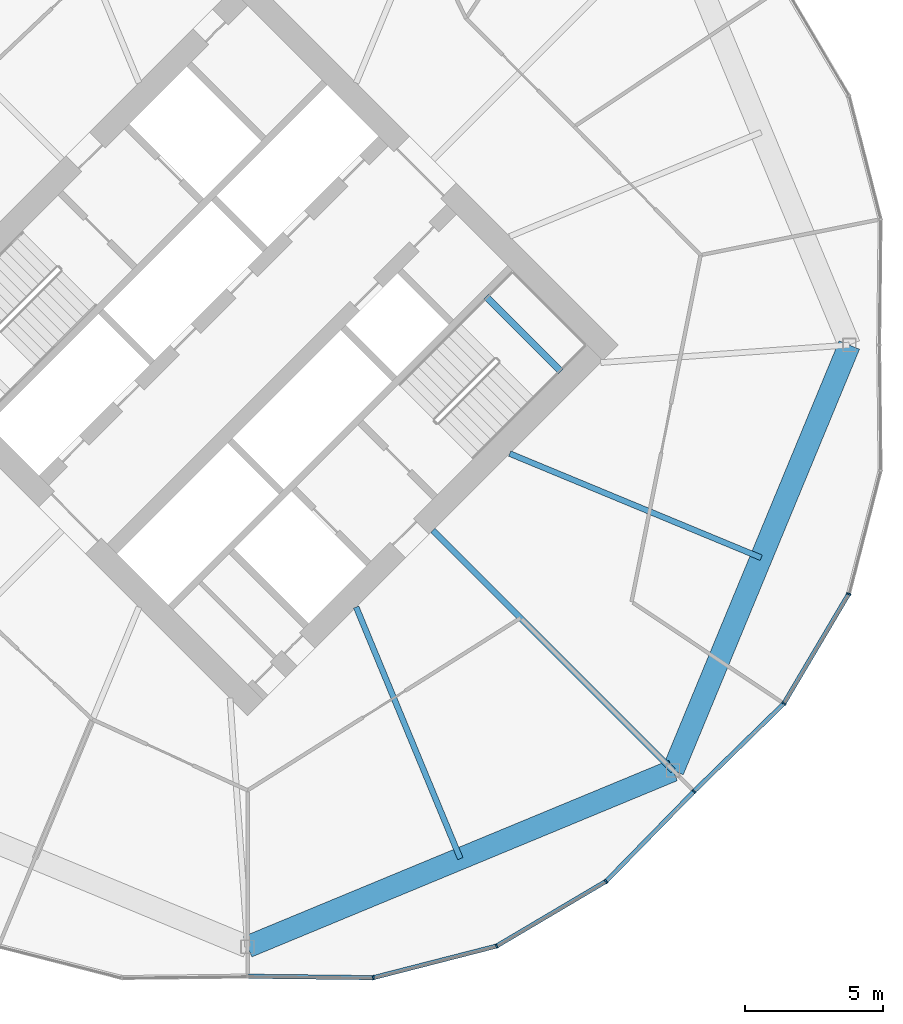
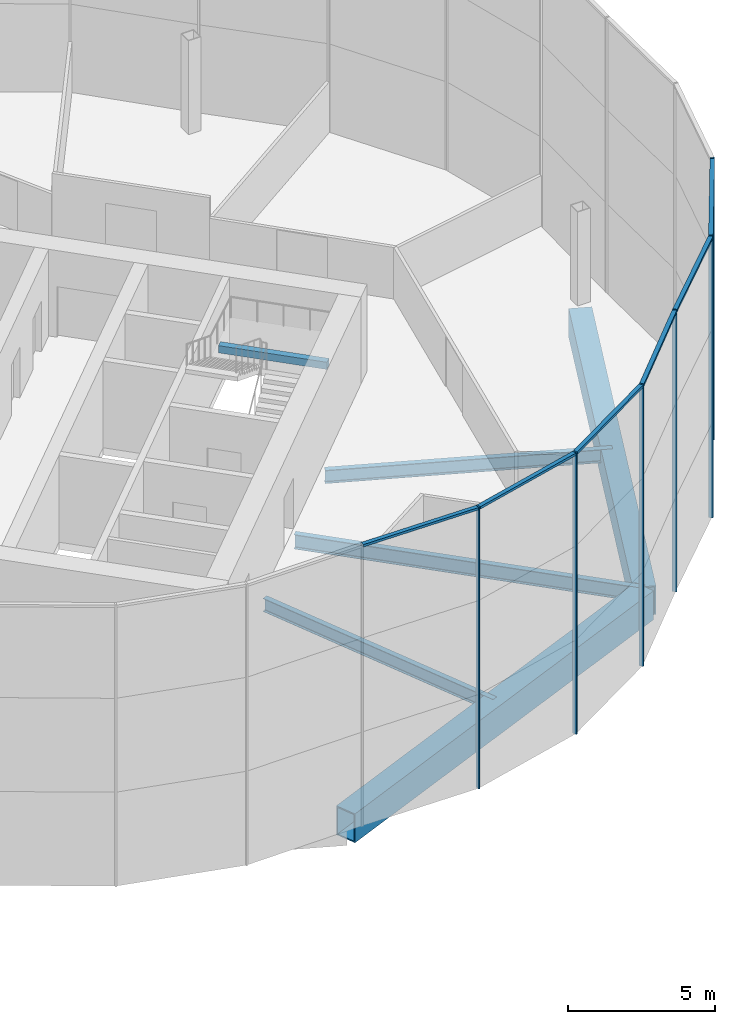
# One storey, part 12 of 25: 12 members, 6 beams, 2 elements without a shape of their own.
"""IFC4 building model written with IfcOpenShell, lengths in metres."""

from ifc_helpers import new_model, si_unit, direction, frame, origin, origin_2d, place, context, subcontext, project, spatial, rectangle, hollow_rectangle, i_section, extrude, material, material_profile, profile_set, type_object, element, aggregate, save


model = new_model("IFC4")

# Units and contexts
model_context = context("Model", 3, precision=1e-05, world=origin(), true_north=direction((0.0, 1.0)))
body_context = subcontext(model_context, "Body", "Model", "MODEL_VIEW")
ifc_project = project(units=[si_unit("LENGTHUNIT", "METRE"), si_unit("AREAUNIT", "SQUARE_METRE"), si_unit("VOLUMEUNIT", "CUBIC_METRE"), si_unit("PLANEANGLEUNIT", "RADIAN"), si_unit("MASSUNIT", "GRAM", prefix="KILO")], contexts=[model_context])

# Site, building, storey
site_placement = place(None, origin())
site = spatial("IfcSite", under=ifc_project, at=site_placement, CompositionType="ELEMENT")
building_placement = place(site_placement, origin())
building = spatial("IfcBuilding", under=site, at=building_placement, Name="Ogive Gate Towers", CompositionType="ELEMENT")
storey_placement = place(building_placement, frame((0.0, 0.0, 44.10009765625)))
storey = spatial("IfcBuildingStorey", under=building, at=storey_placement, Name="L09", CompositionType="ELEMENT", Elevation=44.10009765625)

# Beams
ifc_material_1 = material(Name="Steel SM460", Category="steel")
ifc_material_profile_1 = material_profile(ifc_material_1, hollow_rectangle(XDim=0.800048828125, YDim=1.199951171875, WallThickness=0.050048828125, at=origin_2d()), Name="BX 1200x800x50")
ifc_profile_set_1 = profile_set([ifc_material_profile_1], Name="Steel SM460")
beam_type_1 = type_object("IfcBeamType", Name="Edge girder BX 1200x800x50", PredefinedType="BEAM", material=ifc_profile_set_1)
for number, where, z_axis, x_axis, name in (
    (1, (36.0, -21.81005859375, -0.900146484375), (0.923881893128, 0.382677733282, 0.0), (-0.382677733282, 0.923881893128, 0.0), "T2/L09/SBM018"),
    (2, (51.422119140625, -15.422119140625, -0.900146484375), (0.382677733282, 0.923881893128, 0.0), (-0.923881893128, 0.382677733282, 0.0), "T2/L09/SBM019"),
):
    element("IfcBeam", number, at=place(storey_placement, frame(where, z_axis=z_axis, x_axis=x_axis)), inside=storey, type_object=beam_type_1, Name=name, PredefinedType="BEAM", context=body_context, shape_type="SweptSolid", body=[
        extrude(hollow_rectangle(XDim=0.800048828125, YDim=1.199951171875, WallThickness=0.050048828125, at=origin_2d()), origin(), (0.0, 0.0, 1.0), 16.692626953125),
    ])
ifc_material_2 = material(Name="Concrete C40/50", Category="concrete")
ifc_material_profile_2 = material_profile(ifc_material_2, rectangle(XDim=0.25, YDim=0.300048828125, at=origin_2d()), Name="RC 250x300")
ifc_profile_set_2 = profile_set([ifc_material_profile_2], Name="Concrete C40/50")
beam_type_2 = type_object("IfcBeamType", Name="Landing bearer RC 250x300", PredefinedType="BEAM", material=ifc_profile_set_2)
beam_1_placement = place(storey_placement, frame((47.349609375, -0.9541015625, 1.599853515625), z_axis=(-0.707106781187, 0.707106781187, 0.0), x_axis=(-0.707106781187, -0.707106781187, 0.0)))
element("IfcBeam", 3, at=beam_1_placement, inside=storey, type_object=beam_type_2, Name="T2 L09 stair 2 landing bearer 1", PredefinedType="BEAM", context=body_context, shape_type="SweptSolid", body=[
    extrude(rectangle(XDim=0.25, YDim=0.300048828125, at=origin_2d()), origin(), (0.0, 0.0, 1.0), 3.824951171875),
])
ifc_material_3 = material(Name="Steel SM355", Category="steel")
ifc_material_profile_3 = material_profile(ifc_material_3, i_section(OverallWidth=0.2099609375, OverallDepth=0.550048828125, WebThickness=0.010986328125, FlangeThickness=0.01708984375, FilletRadius=0.02392578125, at=origin_2d()), Name="IPE 550")
ifc_profile_set_3 = profile_set([ifc_material_profile_3], Name="Steel SM355")
beam_type_3 = type_object("IfcBeamType", Name="Radial floor beam IPE 550", PredefinedType="BEAM", material=ifc_profile_set_3)
for number, where, z_axis, x_axis, name in (
    (4, (39.93505859375, -9.5, -0.5751953125), (0.38267666976, -0.923882333645, 0.0), (0.923882333645, 0.38267666976, 0.0), "T2/L09/SBM004"),
    (5, (45.5, -3.93505859375, -0.5751953125), (0.923882333645, -0.38267666976, 0.0), (0.38267666976, 0.923882333645, 0.0), "T2/L09/SBM006"),
):
    element("IfcBeam", number, at=place(storey_placement, frame(where, z_axis=z_axis, x_axis=x_axis)), inside=storey, type_object=beam_type_3, Name=name, PredefinedType="BEAM", context=body_context, shape_type="SweptSolid", body=[
        extrude(i_section(OverallWidth=0.2099609375, OverallDepth=0.550048828125, WebThickness=0.010986328125, FlangeThickness=0.01708984375, FilletRadius=0.02392578125, at=origin_2d()), origin(), (0.0, 0.0, 1.0), 9.866943359375),
    ])
ifc_material_profile_4 = material_profile(ifc_material_3, i_section(OverallWidth=0.219970703125, OverallDepth=0.60009765625, WebThickness=0.011962890625, FlangeThickness=0.01904296875, FilletRadius=0.02392578125, at=origin_2d()), Name="IPE 600")
ifc_profile_set_4 = profile_set([ifc_material_profile_4], Name="Steel SM355")
beam_type_4 = type_object("IfcBeamType", Name="Radial floor beam IPE 600", PredefinedType="BEAM", material=ifc_profile_set_4)
beam_2_placement = place(storey_placement, frame((42.717529296875, -6.717529296875, -0.60009765625), z_axis=(0.707106781187, -0.707106781187, 0.0), x_axis=(0.707106781187, 0.707106781187, 0.0)))
element("IfcBeam", 6, at=beam_2_placement, inside=storey, type_object=beam_type_4, Name="T2/L09/SBM005", PredefinedType="BEAM", context=body_context, shape_type="SweptSolid", body=[
    extrude(i_section(OverallWidth=0.219970703125, OverallDepth=0.60009765625, WebThickness=0.011962890625, FlangeThickness=0.01904296875, FilletRadius=0.02392578125, at=origin_2d()), origin(), (0.0, 0.0, 1.0), 12.31005859375),
])

# Curtain wall, members
ifc_material_4 = material(Name="Pale metal aluminium", Category="aluminium")
curtain_wall_type = type_object("IfcCurtainWallType", Name="Tower unitised wall, low zone", PredefinedType="NOTDEFINED", material=ifc_material_4)
curtain_wall_1_placement = place(storey_placement, origin())
curtain_wall_1 = element("IfcCurtainWall", 7, at=curtain_wall_1_placement, inside=storey, type_object=curtain_wall_type, Name="CW1 T2 ECW07", PredefinedType="NOTDEFINED")
ifc_material_profile_5 = material_profile(ifc_material_4, rectangle(XDim=0.159912109375, YDim=0.06005859375, at=origin_2d()), Name="60 x 160 aluminium box")
ifc_profile_set_5 = profile_set([ifc_material_profile_5], Name="Pale metal aluminium")
member_type_1 = type_object("IfcMemberType", Name="Tower unitised wall, low zone mullion 60 x 160", PredefinedType="MULLION", material=ifc_profile_set_5)
member_1_placement = place(storey_placement, frame((40.555419921875, -22.9326171875, -0.300048828125), z_axis=(0.0, 0.0, 1.0), x_axis=(0.119547703651, -0.992828457767, 0.0)))
member_1 = element("IfcMember", 8, at=member_1_placement, type_object=member_type_1, Name="CW1 mullion", PredefinedType="MULLION", context=body_context, shape_type="SweptSolid", body=[
    extrude(rectangle(XDim=0.159912109375, YDim=0.06005859375, at=origin_2d()), origin(), (0.0, 0.0, 1.0), 11.699951171875),
])
member_2_placement = place(storey_placement, frame((45.02392578125, -21.785888671875, -0.300048828125), z_axis=(0.0, 0.0, 1.0), x_axis=(0.382683432365, -0.923879532511, 0.0)))
member_2 = element("IfcMember", 9, at=member_2_placement, type_object=member_type_1, Name="CW1 mullion", PredefinedType="MULLION", context=body_context, shape_type="SweptSolid", body=[
    extrude(rectangle(XDim=0.159912109375, YDim=0.06005859375, at=origin_2d()), origin(), (0.0, 0.0, 1.0), 11.699951171875),
])
member_3_placement = place(storey_placement, frame((48.99462890625, -19.43701171875, -0.300048828125), z_axis=(0.0, 0.0, 1.0), x_axis=(0.617516471235, -0.786557949393, 0.0)))
member_3 = element("IfcMember", 10, at=member_3_placement, type_object=member_type_1, Name="CW1 mullion", PredefinedType="MULLION", context=body_context, shape_type="SweptSolid", body=[
    extrude(rectangle(XDim=0.159912109375, YDim=0.06005859375, at=origin_2d()), origin(), (0.0, 0.0, 1.0), 11.699951171875),
])
member_4_placement = place(storey_placement, frame((52.178466796875, -16.1787109375, -0.300048828125), z_axis=(0.0, 0.0, 1.0), x_axis=(0.715204973482, -0.698914762976, 0.0)))
member_4 = element("IfcMember", 11, at=member_4_placement, type_object=member_type_1, Name="CW1 mullion", PredefinedType="MULLION", context=body_context, shape_type="SweptSolid", body=[
    extrude(rectangle(XDim=0.159912109375, YDim=0.06005859375, at=origin_2d()), origin(), (0.0, 0.0, 1.0), 11.699951171875),
])

curtain_wall_2_placement = place(storey_placement, origin())
curtain_wall_2 = element("IfcCurtainWall", 12, at=curtain_wall_2_placement, inside=storey, type_object=curtain_wall_type, Name="CW1 T2 ECW08", PredefinedType="NOTDEFINED")
member_5_placement = place(storey_placement, frame((55.43701171875, -12.99462890625, -0.300048828125), z_axis=(0.0, 0.0, 1.0), x_axis=(0.786557949393, -0.617516471235, 0.0)))
member_5 = element("IfcMember", 13, at=member_5_placement, type_object=member_type_1, Name="CW1 mullion", PredefinedType="MULLION", context=body_context, shape_type="SweptSolid", body=[
    extrude(rectangle(XDim=0.159912109375, YDim=0.06005859375, at=origin_2d()), origin(), (0.0, 0.0, 1.0), 11.699951171875),
])
member_6_placement = place(storey_placement, frame((57.785888671875, -9.02392578125, -0.300048828125), z_axis=(0.0, 0.0, 1.0), x_axis=(0.923879532511, -0.382683432365, 0.0)))
member_6 = element("IfcMember", 14, at=member_6_placement, type_object=member_type_1, Name="CW1 mullion", PredefinedType="MULLION", context=body_context, shape_type="SweptSolid", body=[
    extrude(rectangle(XDim=0.159912109375, YDim=0.06005859375, at=origin_2d()), origin(), (0.0, 0.0, 1.0), 11.699951171875),
])

# Member
ifc_material_profile_6 = material_profile(ifc_material_4, rectangle(XDim=0.159912109375, YDim=0.10009765625, at=origin_2d()), Name="100 x 160 aluminium box")
ifc_profile_set_6 = profile_set([ifc_material_profile_6], Name="Pale metal aluminium")
member_type_2 = type_object("IfcMemberType", Name="Tower unitised wall, low zone transom 100 x 160", PredefinedType="USERDEFINED", material=ifc_profile_set_6)
member_7_placement = place(storey_placement, frame((36.0302734375, -22.88037109375, 11.349853515625), z_axis=(0.999933789779, -0.011507217644, 0.0), x_axis=(0.011507217644, 0.999933789779, 0.0)))
member_7 = element("IfcMember", 15, at=member_7_placement, type_object=member_type_2, Name="CW1 transom", ObjectType="TRANSOM", PredefinedType="USERDEFINED", context=body_context, shape_type="SweptSolid", body=[
    extrude(rectangle(XDim=0.159912109375, YDim=0.10009765625, at=origin_2d()), origin(), (0.0, 0.0, 1.0), 4.497802734375),
])

member_8_placement = place(storey_placement, frame((40.581787109375, -22.925537109375, 11.349853515625), z_axis=(0.968624541573, 0.248528665272, 0.0), x_axis=(-0.248528665272, 0.968624541573, 0.0)))
member_8 = element("IfcMember", 16, at=member_8_placement, type_object=member_type_2, Name="CW1 transom", ObjectType="TRANSOM", PredefinedType="USERDEFINED", context=body_context, shape_type="SweptSolid", body=[
    extrude(rectangle(XDim=0.159912109375, YDim=0.10009765625, at=origin_2d()), origin(), (0.0, 0.0, 1.0), 4.55908203125),
])

member_9_placement = place(storey_placement, frame((45.04736328125, -21.77197265625, 11.349853515625), z_axis=(0.860670555769, 0.509162247651, 0.0), x_axis=(-0.509162247651, 0.860670555769, 0.0)))
member_9 = element("IfcMember", 17, at=member_9_placement, type_object=member_type_2, Name="CW1 transom", ObjectType="TRANSOM", PredefinedType="USERDEFINED", context=body_context, shape_type="SweptSolid", body=[
    extrude(rectangle(XDim=0.159912109375, YDim=0.10009765625, at=origin_2d()), origin(), (0.0, 0.0, 1.0), 4.55908203125),
])

member_10_placement = place(storey_placement, frame((49.013916015625, -19.417236328125, 11.349853515625), z_axis=(0.698890670971, 0.715228515951, 0.0), x_axis=(-0.715228515951, 0.698890670971, 0.0)))
member_10 = element("IfcMember", 18, at=member_10_placement, type_object=member_type_2, Name="CW1 transom", ObjectType="TRANSOM", PredefinedType="USERDEFINED", context=body_context, shape_type="SweptSolid", body=[
    extrude(rectangle(XDim=0.159912109375, YDim=0.10009765625, at=origin_2d()), origin(), (0.0, 0.0, 1.0), 4.497802734375),
])

aggregate(curtain_wall_1, [member_1, member_7, member_2, member_8, member_3, member_9, member_4, member_10])

member_11_placement = place(storey_placement, frame((52.2001953125, -16.157470703125, 11.349853515625), z_axis=(0.715228515951, 0.698890670971, 0.0), x_axis=(-0.698890670971, 0.715228515951, 0.0)))
member_11 = element("IfcMember", 19, at=member_11_placement, type_object=member_type_2, Name="CW1 transom", ObjectType="TRANSOM", PredefinedType="USERDEFINED", context=body_context, shape_type="SweptSolid", body=[
    extrude(rectangle(XDim=0.159912109375, YDim=0.10009765625, at=origin_2d()), origin(), (0.0, 0.0, 1.0), 4.497802734375),
])

member_12_placement = place(storey_placement, frame((55.45068359375, -12.97119140625, 11.349853515625), z_axis=(0.509162247651, 0.860670555769, 0.0), x_axis=(-0.860670555769, 0.509162247651, 0.0)))
member_12 = element("IfcMember", 20, at=member_12_placement, type_object=member_type_2, Name="CW1 transom", ObjectType="TRANSOM", PredefinedType="USERDEFINED", context=body_context, shape_type="SweptSolid", body=[
    extrude(rectangle(XDim=0.159912109375, YDim=0.10009765625, at=origin_2d()), origin(), (0.0, 0.0, 1.0), 4.55908203125),
])

aggregate(curtain_wall_2, [member_5, member_11, member_6, member_12])

save(model, "model.ifc")
